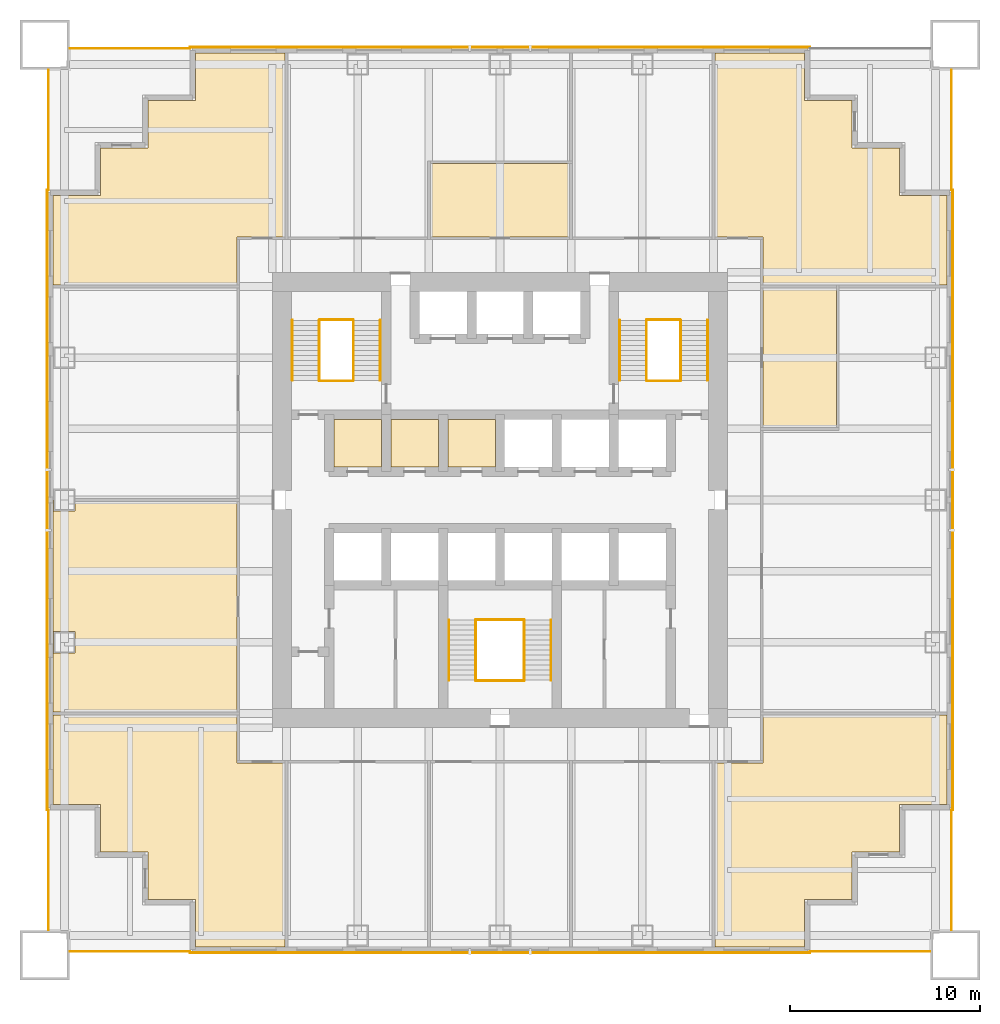
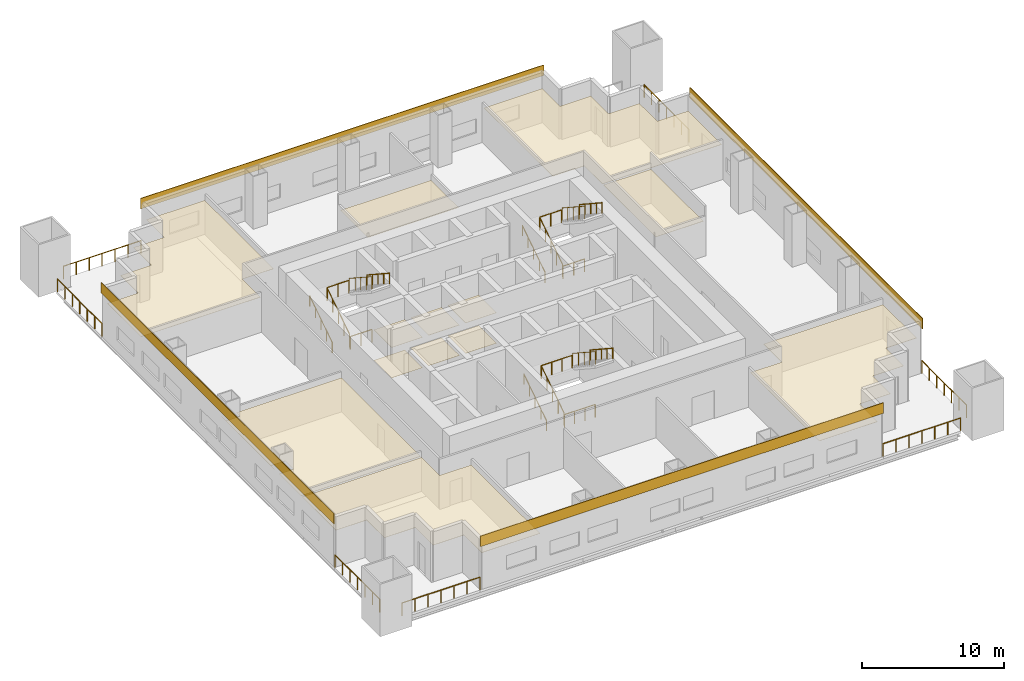
# One storey, part 6 of 7: 25 railings, 17 coverings.
"""IFC4 building model written with IfcOpenShell, lengths in metres."""

from ifc_helpers import new_model, si_unit, direction, frame, origin, origin_2d, place, context, subcontext, project, spatial, polyline, rectangle, circle, outline, extrude, material, layer, layer_set, type_object, element, save


model = new_model("IFC4")

# Units and contexts
model_context = context("Model", 3, precision=1e-05, world=origin(), true_north=direction((0.0, 1.0)))
body_context = subcontext(model_context, "Body", "Model", "MODEL_VIEW")
ifc_project = project(units=[si_unit("LENGTHUNIT", "METRE"), si_unit("AREAUNIT", "SQUARE_METRE"), si_unit("VOLUMEUNIT", "CUBIC_METRE"), si_unit("PLANEANGLEUNIT", "RADIAN"), si_unit("MASSUNIT", "GRAM", prefix="KILO")], contexts=[model_context])

# Site, building, storey
site_placement = place(None, origin())
site = spatial("IfcSite", under=ifc_project, at=site_placement, CompositionType="ELEMENT")
building_placement = place(site_placement, origin())
building = spatial("IfcBuilding", under=site, at=building_placement, Name="Tarangal Relay Tower", CompositionType="ELEMENT")
storey_placement = place(building_placement, frame((0.0, 0.0, 122.39990234375)))
storey = spatial("IfcBuildingStorey", under=building, at=storey_placement, Name="L24", CompositionType="ELEMENT", Elevation=122.39990234375)

# Coverings
ifc_material_1 = material(Name="Anti-static vinyl flooring", Category="plastic")
ifc_layer_1 = layer(ifc_material_1, 0.010009765625)
ifc_layer_set_1 = layer_set([ifc_layer_1], Name="Anti-static vinyl floor")
covering_type_1 = type_object("IfcCoveringType", Name="Anti-static vinyl floor", PredefinedType="FLOORING", material=ifc_layer_set_1)
covering_1_placement = place(storey_placement, origin())
element("IfcCovering", 1, at=covering_1_placement, inside=storey, type_object=covering_type_1, Name="Floor finish FL1 L24-D1", PredefinedType="FLOORING", context=body_context, shape_type="SweptSolid", body=[
    extrude(outline(polyline([(-8.75, 1.75), (-6.25, 1.75), (-6.25, 4.25), (-8.75, 4.25), (-8.75, 1.75)])), origin(), (0.0, 0.0, 1.0), 0.010009765625),
])
covering_2_placement = place(storey_placement, origin())
element("IfcCovering", 2, at=covering_2_placement, inside=storey, type_object=covering_type_1, Name="Floor finish FL1 L24-D2", PredefinedType="FLOORING", context=body_context, shape_type="SweptSolid", body=[
    extrude(outline(polyline([(-5.75, 1.75), (-3.25, 1.75), (-3.25, 4.25), (-5.75, 4.25), (-5.75, 1.75)])), origin(), (0.0, 0.0, 1.0), 0.010009765625),
])
covering_3_placement = place(storey_placement, origin())
element("IfcCovering", 3, at=covering_3_placement, inside=storey, type_object=covering_type_1, Name="Floor finish FL1 L24-D3", PredefinedType="FLOORING", context=body_context, shape_type="SweptSolid", body=[
    extrude(outline(polyline([(-2.75, 1.75), (-0.25, 1.75), (-0.25, 4.25), (-2.75, 4.25), (-2.75, 1.75)])), origin(), (0.0, 0.0, 1.0), 0.010009765625),
])
ifc_material_2 = material(Name="Black anodised aluminium cladding", Category="aluminium")
ifc_layer_2 = layer(ifc_material_2, 0.050048828125)
ifc_layer_set_2 = layer_set([ifc_layer_2], Name="Black metal spandrel band")
covering_type_2 = type_object("IfcCoveringType", Name="Black metal spandrel band", PredefinedType="CLADDING", material=ifc_layer_set_2)
for number, where, z_axis, x_axis, name in (
    (4, (0.0, 23.875, 3.750244140625), (0.0, 0.0, 1.0), (1.0, 0.0, 0.0), "Spandrel band SB1 N L24"),
    (5, (23.875, 0.0, 3.750244140625), (0.0, 0.0, 1.0), (0.0, -1.0, 0.0), "Spandrel band SB1 E L24"),
    (6, (0.0, -23.875, 3.750244140625), (0.0, 0.0, 1.0), (-1.0, 0.0, 0.0), "Spandrel band SB1 S L24"),
    (7, (-23.875, 0.0, 3.750244140625), (0.0, 0.0, 1.0), (0.0, 1.0, 0.0), "Spandrel band SB1 W L24"),
):
    element("IfcCovering", number, at=place(storey_placement, frame(where, z_axis=z_axis, x_axis=x_axis)), inside=storey, type_object=covering_type_2, Name=name, PredefinedType="CLADDING", context=body_context, shape_type="SweptSolid", body=[
        extrude(rectangle(XDim=32.699951171875, YDim=0.050048828125, at=origin_2d()), origin(), (0.0, 0.0, 1.0), 0.89990234375),
    ])

# Railings
ifc_material_3 = material(Name="Steel guard, black finish", Category="steel")
railing_type_1 = type_object("IfcRailingType", Name="Stair guard 1100", PredefinedType="GUARDRAIL", material=ifc_material_3)
railing_1_placement = place(storey_placement, frame((-9.530029296875, 6.300048828125, 0.173095703125)))
element("IfcRailing", 8, at=railing_1_placement, inside=storey, type_object=railing_type_1, Name="Stair ST-A guard GR1 L24 flight 1", PredefinedType="GUARDRAIL", context=body_context, shape_type="SweptSolid", body=[
    extrude(circle(Radius=0.02392578125, at=origin_2d()), frame((0.0, 0.0, 1.076171875), z_axis=(0.0, 0.83629911093, 0.548273469226), x_axis=(-1.0, 0.0, 0.0)), (0.0, 0.0, 1.0), 3.7880859375),
    extrude(circle(Radius=0.02099609375, at=origin_2d()), origin(), (0.0, 0.0, 1.0), 1.052001953125),
    extrude(circle(Radius=0.02099609375, at=origin_2d()), frame((0.0, 0.7919921875, 0.519287109375)), (0.0, 0.0, 1.0), 1.052001953125),
    extrude(circle(Radius=0.02099609375, at=origin_2d()), frame((0.0, 1.583984375, 1.03857421875)), (0.0, 0.0, 1.0), 1.052001953125),
    extrude(circle(Radius=0.02099609375, at=origin_2d()), frame((0.0, 2.3759765625, 1.5576171875)), (0.0, 0.0, 1.0), 1.052001953125),
    extrude(circle(Radius=0.02099609375, at=origin_2d()), frame((0.0, 3.16796875, 2.076904296875)), (0.0, 0.0, 1.0), 1.052001953125),
])
railing_2_placement = place(storey_placement, frame((-7.719970703125, 9.468017578125, 2.423095703125)))
element("IfcRailing", 9, at=railing_2_placement, inside=storey, type_object=railing_type_1, Name="Stair ST-A guard GR1 L24 flight 2", PredefinedType="GUARDRAIL", context=body_context, shape_type="SweptSolid", body=[
    extrude(circle(Radius=0.02392578125, at=origin_2d()), frame((0.0, 0.0, 1.076171875), z_axis=(0.0, -0.83629911093, 0.548273469226), x_axis=(1.0, 0.0, 0.0)), (0.0, 0.0, 1.0), 3.7880859375),
    extrude(circle(Radius=0.02099609375, at=origin_2d()), origin(), (0.0, 0.0, 1.0), 1.052001953125),
    extrude(circle(Radius=0.02099609375, at=origin_2d()), frame((0.0, -0.7919921875, 0.519287109375)), (0.0, 0.0, 1.0), 1.052001953125),
    extrude(circle(Radius=0.02099609375, at=origin_2d()), frame((0.0, -1.583984375, 1.03857421875)), (0.0, 0.0, 1.0), 1.052001953125),
    extrude(circle(Radius=0.02099609375, at=origin_2d()), frame((0.0, -2.3759765625, 1.5576171875)), (0.0, 0.0, 1.0), 1.052001953125),
    extrude(circle(Radius=0.02099609375, at=origin_2d()), frame((0.0, -3.16796875, 2.076904296875)), (0.0, 0.0, 1.0), 1.052001953125),
])
for number, where, name in (
    (10, (-9.5, 6.27001953125, 0.0), "Stair ST-A landing guard GR1 L24"),
    (11, (-9.5, 9.498046875, 2.25), "Stair ST-A landing guard GR1 L24"),
):
    element("IfcRailing", number, at=place(storey_placement, frame(where)), inside=storey, type_object=railing_type_1, Name=name, PredefinedType="GUARDRAIL", context=body_context, shape_type="SweptSolid", body=[
        extrude(circle(Radius=0.02392578125, at=origin_2d()), frame((0.0, 0.0, 1.076171875), z_axis=(1.0, 0.0, 0.0), x_axis=(0.0, 1.0, 0.0)), (0.0, 0.0, 1.0), 1.75),
        extrude(circle(Radius=0.02099609375, at=origin_2d()), origin(), (0.0, 0.0, 1.0), 1.052001953125),
        extrude(circle(Radius=0.02099609375, at=origin_2d()), frame((0.875, 0.0, 0.0)), (0.0, 0.0, 1.0), 1.052001953125),
        extrude(circle(Radius=0.02099609375, at=origin_2d()), frame((1.75, 0.0, 0.0)), (0.0, 0.0, 1.0), 1.052001953125),
    ])
railing_3_placement = place(storey_placement, frame((7.719970703125, 6.300048828125, 0.173095703125)))
element("IfcRailing", 12, at=railing_3_placement, inside=storey, type_object=railing_type_1, Name="Stair ST-B guard GR1 L24 flight 1", PredefinedType="GUARDRAIL", context=body_context, shape_type="SweptSolid", body=[
    extrude(circle(Radius=0.02392578125, at=origin_2d()), frame((0.0, 0.0, 1.076171875), z_axis=(0.0, 0.83629911093, 0.548273469226), x_axis=(-1.0, 0.0, 0.0)), (0.0, 0.0, 1.0), 3.7880859375),
    extrude(circle(Radius=0.02099609375, at=origin_2d()), origin(), (0.0, 0.0, 1.0), 1.052001953125),
    extrude(circle(Radius=0.02099609375, at=origin_2d()), frame((0.0, 0.7919921875, 0.519287109375)), (0.0, 0.0, 1.0), 1.052001953125),
    extrude(circle(Radius=0.02099609375, at=origin_2d()), frame((0.0, 1.583984375, 1.03857421875)), (0.0, 0.0, 1.0), 1.052001953125),
    extrude(circle(Radius=0.02099609375, at=origin_2d()), frame((0.0, 2.3759765625, 1.5576171875)), (0.0, 0.0, 1.0), 1.052001953125),
    extrude(circle(Radius=0.02099609375, at=origin_2d()), frame((0.0, 3.16796875, 2.076904296875)), (0.0, 0.0, 1.0), 1.052001953125),
])
railing_4_placement = place(storey_placement, frame((9.530029296875, 9.468017578125, 2.423095703125)))
element("IfcRailing", 13, at=railing_4_placement, inside=storey, type_object=railing_type_1, Name="Stair ST-B guard GR1 L24 flight 2", PredefinedType="GUARDRAIL", context=body_context, shape_type="SweptSolid", body=[
    extrude(circle(Radius=0.02392578125, at=origin_2d()), frame((0.0, 0.0, 1.076171875), z_axis=(0.0, -0.83629911093, 0.548273469226), x_axis=(1.0, 0.0, 0.0)), (0.0, 0.0, 1.0), 3.7880859375),
    extrude(circle(Radius=0.02099609375, at=origin_2d()), origin(), (0.0, 0.0, 1.0), 1.052001953125),
    extrude(circle(Radius=0.02099609375, at=origin_2d()), frame((0.0, -0.7919921875, 0.519287109375)), (0.0, 0.0, 1.0), 1.052001953125),
    extrude(circle(Radius=0.02099609375, at=origin_2d()), frame((0.0, -1.583984375, 1.03857421875)), (0.0, 0.0, 1.0), 1.052001953125),
    extrude(circle(Radius=0.02099609375, at=origin_2d()), frame((0.0, -2.3759765625, 1.5576171875)), (0.0, 0.0, 1.0), 1.052001953125),
    extrude(circle(Radius=0.02099609375, at=origin_2d()), frame((0.0, -3.16796875, 2.076904296875)), (0.0, 0.0, 1.0), 1.052001953125),
])
for number, where, name in (
    (14, (7.75, 6.27001953125, 0.0), "Stair ST-B landing guard GR1 L24"),
    (15, (7.75, 9.498046875, 2.25), "Stair ST-B landing guard GR1 L24"),
):
    element("IfcRailing", number, at=place(storey_placement, frame(where)), inside=storey, type_object=railing_type_1, Name=name, PredefinedType="GUARDRAIL", context=body_context, shape_type="SweptSolid", body=[
        extrude(circle(Radius=0.02392578125, at=origin_2d()), frame((0.0, 0.0, 1.076171875), z_axis=(1.0, 0.0, 0.0), x_axis=(0.0, 1.0, 0.0)), (0.0, 0.0, 1.0), 1.75),
        extrude(circle(Radius=0.02099609375, at=origin_2d()), origin(), (0.0, 0.0, 1.0), 1.052001953125),
        extrude(circle(Radius=0.02099609375, at=origin_2d()), frame((0.875, 0.0, 0.0)), (0.0, 0.0, 1.0), 1.052001953125),
        extrude(circle(Radius=0.02099609375, at=origin_2d()), frame((1.75, 0.0, 0.0)), (0.0, 0.0, 1.0), 1.052001953125),
    ])
railing_5_placement = place(storey_placement, frame((-1.280029296875, -9.5, 0.173095703125)))
element("IfcRailing", 16, at=railing_5_placement, inside=storey, type_object=railing_type_1, Name="Stair ST-C guard GR1 L24 flight 1", PredefinedType="GUARDRAIL", context=body_context, shape_type="SweptSolid", body=[
    extrude(circle(Radius=0.02392578125, at=origin_2d()), frame((0.0, 0.0, 1.076171875), z_axis=(0.0, 0.83629911093, 0.548273469226), x_axis=(-1.0, 0.0, 0.0)), (0.0, 0.0, 1.0), 3.7880859375),
    extrude(circle(Radius=0.02099609375, at=origin_2d()), origin(), (0.0, 0.0, 1.0), 1.052001953125),
    extrude(circle(Radius=0.02099609375, at=origin_2d()), frame((0.0, 0.7919921875, 0.519287109375)), (0.0, 0.0, 1.0), 1.052001953125),
    extrude(circle(Radius=0.02099609375, at=origin_2d()), frame((0.0, 1.583984375, 1.03857421875)), (0.0, 0.0, 1.0), 1.052001953125),
    extrude(circle(Radius=0.02099609375, at=origin_2d()), frame((0.0, 2.3759765625, 1.5576171875)), (0.0, 0.0, 1.0), 1.052001953125),
    extrude(circle(Radius=0.02099609375, at=origin_2d()), frame((0.0, 3.16796875, 2.076904296875)), (0.0, 0.0, 1.0), 1.052001953125),
])
railing_6_placement = place(storey_placement, frame((1.280029296875, -6.33203125, 2.423095703125)))
element("IfcRailing", 17, at=railing_6_placement, inside=storey, type_object=railing_type_1, Name="Stair ST-C guard GR1 L24 flight 2", PredefinedType="GUARDRAIL", context=body_context, shape_type="SweptSolid", body=[
    extrude(circle(Radius=0.02392578125, at=origin_2d()), frame((0.0, 0.0, 1.076171875), z_axis=(0.0, -0.83629911093, 0.548273469226), x_axis=(1.0, 0.0, 0.0)), (0.0, 0.0, 1.0), 3.7880859375),
    extrude(circle(Radius=0.02099609375, at=origin_2d()), origin(), (0.0, 0.0, 1.0), 1.052001953125),
    extrude(circle(Radius=0.02099609375, at=origin_2d()), frame((0.0, -0.7919921875, 0.519287109375)), (0.0, 0.0, 1.0), 1.052001953125),
    extrude(circle(Radius=0.02099609375, at=origin_2d()), frame((0.0, -1.583984375, 1.03857421875)), (0.0, 0.0, 1.0), 1.052001953125),
    extrude(circle(Radius=0.02099609375, at=origin_2d()), frame((0.0, -2.3759765625, 1.5576171875)), (0.0, 0.0, 1.0), 1.052001953125),
    extrude(circle(Radius=0.02099609375, at=origin_2d()), frame((0.0, -3.16796875, 2.076904296875)), (0.0, 0.0, 1.0), 1.052001953125),
])
for number, where, name in (
    (18, (-1.25, -9.530029296875, 0.0), "Stair ST-C landing guard GR1 L24"),
    (19, (-1.25, -6.302001953125, 2.25), "Stair ST-C landing guard GR1 L24"),
):
    element("IfcRailing", number, at=place(storey_placement, frame(where)), inside=storey, type_object=railing_type_1, Name=name, PredefinedType="GUARDRAIL", context=body_context, shape_type="SweptSolid", body=[
        extrude(circle(Radius=0.02392578125, at=origin_2d()), frame((0.0, 0.0, 1.076171875), z_axis=(1.0, 0.0, 0.0), x_axis=(0.0, 1.0, 0.0)), (0.0, 0.0, 1.0), 2.5),
        extrude(circle(Radius=0.02099609375, at=origin_2d()), origin(), (0.0, 0.0, 1.0), 1.052001953125),
        extrude(circle(Radius=0.02099609375, at=origin_2d()), frame((0.833251953125, 0.0, 0.0)), (0.0, 0.0, 1.0), 1.052001953125),
        extrude(circle(Radius=0.02099609375, at=origin_2d()), frame((1.666748046875, 0.0, 0.0)), (0.0, 0.0, 1.0), 1.052001953125),
        extrude(circle(Radius=0.02099609375, at=origin_2d()), frame((2.5, 0.0, 0.0)), (0.0, 0.0, 1.0), 1.052001953125),
    ])
ifc_material_4 = material(Name="Steel handrail, black finish", Category="steel")
railing_type_2 = type_object("IfcRailingType", Name="Stair handrail 900", PredefinedType="HANDRAIL", material=ifc_material_4)
railing_7_placement = place(storey_placement, frame((-10.93994140625, 6.300048828125, 0.173095703125)))
element("IfcRailing", 20, at=railing_7_placement, inside=storey, type_object=railing_type_2, Name="Stair ST-A handrail HR1 L24 flight 1", PredefinedType="HANDRAIL", context=body_context, shape_type="SweptSolid", body=[
    extrude(circle(Radius=0.02392578125, at=origin_2d()), frame((0.0, 0.0, 0.8759765625), z_axis=(0.0, 0.83629911093, 0.548273469226), x_axis=(-1.0, 0.0, 0.0)), (0.0, 0.0, 1.0), 3.7880859375),
    extrude(circle(Radius=0.02099609375, at=origin_2d()), origin(), (0.0, 0.0, 1.0), 0.851806640625),
    extrude(circle(Radius=0.02099609375, at=origin_2d()), frame((0.0, 0.7919921875, 0.519287109375)), (0.0, 0.0, 1.0), 0.851806640625),
    extrude(circle(Radius=0.02099609375, at=origin_2d()), frame((0.0, 1.583984375, 1.03857421875)), (0.0, 0.0, 1.0), 0.851806640625),
    extrude(circle(Radius=0.02099609375, at=origin_2d()), frame((0.0, 2.3759765625, 1.5576171875)), (0.0, 0.0, 1.0), 0.851806640625),
    extrude(circle(Radius=0.02099609375, at=origin_2d()), frame((0.0, 3.16796875, 2.076904296875)), (0.0, 0.0, 1.0), 0.851806640625),
])
railing_8_placement = place(storey_placement, frame((-6.31005859375, 9.468017578125, 2.423095703125)))
element("IfcRailing", 21, at=railing_8_placement, inside=storey, type_object=railing_type_2, Name="Stair ST-A handrail HR1 L24 flight 2", PredefinedType="HANDRAIL", context=body_context, shape_type="SweptSolid", body=[
    extrude(circle(Radius=0.02392578125, at=origin_2d()), frame((0.0, 0.0, 0.8759765625), z_axis=(0.0, -0.83629911093, 0.548273469226), x_axis=(1.0, 0.0, 0.0)), (0.0, 0.0, 1.0), 3.7880859375),
    extrude(circle(Radius=0.02099609375, at=origin_2d()), origin(), (0.0, 0.0, 1.0), 0.851806640625),
    extrude(circle(Radius=0.02099609375, at=origin_2d()), frame((0.0, -0.7919921875, 0.519287109375)), (0.0, 0.0, 1.0), 0.851806640625),
    extrude(circle(Radius=0.02099609375, at=origin_2d()), frame((0.0, -1.583984375, 1.03857421875)), (0.0, 0.0, 1.0), 0.851806640625),
    extrude(circle(Radius=0.02099609375, at=origin_2d()), frame((0.0, -2.3759765625, 1.5576171875)), (0.0, 0.0, 1.0), 0.851806640625),
    extrude(circle(Radius=0.02099609375, at=origin_2d()), frame((0.0, -3.16796875, 2.076904296875)), (0.0, 0.0, 1.0), 0.851806640625),
])
railing_9_placement = place(storey_placement, frame((6.31005859375, 6.300048828125, 0.173095703125)))
element("IfcRailing", 22, at=railing_9_placement, inside=storey, type_object=railing_type_2, Name="Stair ST-B handrail HR1 L24 flight 1", PredefinedType="HANDRAIL", context=body_context, shape_type="SweptSolid", body=[
    extrude(circle(Radius=0.02392578125, at=origin_2d()), frame((0.0, 0.0, 0.8759765625), z_axis=(0.0, 0.83629911093, 0.548273469226), x_axis=(-1.0, 0.0, 0.0)), (0.0, 0.0, 1.0), 3.7880859375),
    extrude(circle(Radius=0.02099609375, at=origin_2d()), origin(), (0.0, 0.0, 1.0), 0.851806640625),
    extrude(circle(Radius=0.02099609375, at=origin_2d()), frame((0.0, 0.7919921875, 0.519287109375)), (0.0, 0.0, 1.0), 0.851806640625),
    extrude(circle(Radius=0.02099609375, at=origin_2d()), frame((0.0, 1.583984375, 1.03857421875)), (0.0, 0.0, 1.0), 0.851806640625),
    extrude(circle(Radius=0.02099609375, at=origin_2d()), frame((0.0, 2.3759765625, 1.5576171875)), (0.0, 0.0, 1.0), 0.851806640625),
    extrude(circle(Radius=0.02099609375, at=origin_2d()), frame((0.0, 3.16796875, 2.076904296875)), (0.0, 0.0, 1.0), 0.851806640625),
])
railing_10_placement = place(storey_placement, frame((10.93994140625, 9.468017578125, 2.423095703125)))
element("IfcRailing", 23, at=railing_10_placement, inside=storey, type_object=railing_type_2, Name="Stair ST-B handrail HR1 L24 flight 2", PredefinedType="HANDRAIL", context=body_context, shape_type="SweptSolid", body=[
    extrude(circle(Radius=0.02392578125, at=origin_2d()), frame((0.0, 0.0, 0.8759765625), z_axis=(0.0, -0.83629911093, 0.548273469226), x_axis=(1.0, 0.0, 0.0)), (0.0, 0.0, 1.0), 3.7880859375),
    extrude(circle(Radius=0.02099609375, at=origin_2d()), origin(), (0.0, 0.0, 1.0), 0.851806640625),
    extrude(circle(Radius=0.02099609375, at=origin_2d()), frame((0.0, -0.7919921875, 0.519287109375)), (0.0, 0.0, 1.0), 0.851806640625),
    extrude(circle(Radius=0.02099609375, at=origin_2d()), frame((0.0, -1.583984375, 1.03857421875)), (0.0, 0.0, 1.0), 0.851806640625),
    extrude(circle(Radius=0.02099609375, at=origin_2d()), frame((0.0, -2.3759765625, 1.5576171875)), (0.0, 0.0, 1.0), 0.851806640625),
    extrude(circle(Radius=0.02099609375, at=origin_2d()), frame((0.0, -3.16796875, 2.076904296875)), (0.0, 0.0, 1.0), 0.851806640625),
])
railing_11_placement = place(storey_placement, frame((-2.68994140625, -9.5, 0.173095703125)))
element("IfcRailing", 24, at=railing_11_placement, inside=storey, type_object=railing_type_2, Name="Stair ST-C handrail HR1 L24 flight 1", PredefinedType="HANDRAIL", context=body_context, shape_type="SweptSolid", body=[
    extrude(circle(Radius=0.02392578125, at=origin_2d()), frame((0.0, 0.0, 0.8759765625), z_axis=(0.0, 0.83629911093, 0.548273469226), x_axis=(-1.0, 0.0, 0.0)), (0.0, 0.0, 1.0), 3.7880859375),
    extrude(circle(Radius=0.02099609375, at=origin_2d()), origin(), (0.0, 0.0, 1.0), 0.851806640625),
    extrude(circle(Radius=0.02099609375, at=origin_2d()), frame((0.0, 0.7919921875, 0.519287109375)), (0.0, 0.0, 1.0), 0.851806640625),
    extrude(circle(Radius=0.02099609375, at=origin_2d()), frame((0.0, 1.583984375, 1.03857421875)), (0.0, 0.0, 1.0), 0.851806640625),
    extrude(circle(Radius=0.02099609375, at=origin_2d()), frame((0.0, 2.3759765625, 1.5576171875)), (0.0, 0.0, 1.0), 0.851806640625),
    extrude(circle(Radius=0.02099609375, at=origin_2d()), frame((0.0, 3.16796875, 2.076904296875)), (0.0, 0.0, 1.0), 0.851806640625),
])
railing_12_placement = place(storey_placement, frame((2.68994140625, -6.33203125, 2.423095703125)))
element("IfcRailing", 25, at=railing_12_placement, inside=storey, type_object=railing_type_2, Name="Stair ST-C handrail HR1 L24 flight 2", PredefinedType="HANDRAIL", context=body_context, shape_type="SweptSolid", body=[
    extrude(circle(Radius=0.02392578125, at=origin_2d()), frame((0.0, 0.0, 0.8759765625), z_axis=(0.0, -0.83629911093, 0.548273469226), x_axis=(1.0, 0.0, 0.0)), (0.0, 0.0, 1.0), 3.7880859375),
    extrude(circle(Radius=0.02099609375, at=origin_2d()), origin(), (0.0, 0.0, 1.0), 0.851806640625),
    extrude(circle(Radius=0.02099609375, at=origin_2d()), frame((0.0, -0.7919921875, 0.519287109375)), (0.0, 0.0, 1.0), 0.851806640625),
    extrude(circle(Radius=0.02099609375, at=origin_2d()), frame((0.0, -1.583984375, 1.03857421875)), (0.0, 0.0, 1.0), 0.851806640625),
    extrude(circle(Radius=0.02099609375, at=origin_2d()), frame((0.0, -2.3759765625, 1.5576171875)), (0.0, 0.0, 1.0), 0.851806640625),
    extrude(circle(Radius=0.02099609375, at=origin_2d()), frame((0.0, -3.16796875, 2.076904296875)), (0.0, 0.0, 1.0), 0.851806640625),
])

# Coverings
ifc_material_5 = material(Name="Mineral fibre ceiling tiles", Category="gypsum")
ifc_layer_3 = layer(ifc_material_5, 0.02001953125)
ifc_layer_set_3 = layer_set([ifc_layer_3], Name="Suspended ceiling")
covering_type_3 = type_object("IfcCoveringType", Name="Suspended ceiling", PredefinedType="CEILING", material=ifc_layer_set_3)
covering_4_placement = place(storey_placement, frame((0.0, 0.0, 2.60009765625)))
element("IfcCovering", 26, at=covering_4_placement, inside=storey, type_object=covering_type_3, Name="Suspended ceiling CL1 L24-D1", PredefinedType="CEILING", context=body_context, shape_type="SweptSolid", body=[
    extrude(outline(polyline([(-8.75, 1.75), (-6.25, 1.75), (-6.25, 4.25), (-8.75, 4.25), (-8.75, 1.75)])), origin(), (0.0, 0.0, 1.0), 0.02001953125),
])
covering_5_placement = place(storey_placement, frame((0.0, 0.0, 2.60009765625)))
element("IfcCovering", 27, at=covering_5_placement, inside=storey, type_object=covering_type_3, Name="Suspended ceiling CL1 L24-D2", PredefinedType="CEILING", context=body_context, shape_type="SweptSolid", body=[
    extrude(outline(polyline([(-5.75, 1.75), (-3.25, 1.75), (-3.25, 4.25), (-5.75, 4.25), (-5.75, 1.75)])), origin(), (0.0, 0.0, 1.0), 0.02001953125),
])
covering_6_placement = place(storey_placement, frame((0.0, 0.0, 2.60009765625)))
element("IfcCovering", 28, at=covering_6_placement, inside=storey, type_object=covering_type_3, Name="Suspended ceiling CL1 L24-D3", PredefinedType="CEILING", context=body_context, shape_type="SweptSolid", body=[
    extrude(outline(polyline([(-2.75, 1.75), (-0.25, 1.75), (-0.25, 4.25), (-2.75, 4.25), (-2.75, 1.75)])), origin(), (0.0, 0.0, 1.0), 0.02001953125),
])
covering_7_placement = place(storey_placement, frame((0.0, 0.0, 2.900146484375)))
element("IfcCovering", 29, at=covering_7_placement, inside=storey, type_object=covering_type_3, Name="Suspended ceiling CL1 L24-03", PredefinedType="CEILING", context=body_context, shape_type="SweptSolid", body=[
    extrude(outline(polyline([(-3.675048828125, 17.72509765625), (-3.675048828125, 13.875), (3.675048828125, 13.875), (3.675048828125, 17.72509765625), (-3.675048828125, 17.72509765625)])), origin(), (0.0, 0.0, 1.0), 0.02001953125),
])
covering_8_placement = place(storey_placement, frame((0.0, 0.0, 2.900146484375)))
element("IfcCovering", 30, at=covering_8_placement, inside=storey, type_object=covering_type_3, Name="Suspended ceiling CL1 L24-05", PredefinedType="CEILING", context=body_context, shape_type="SweptSolid", body=[
    extrude(outline(polyline([(17.72509765625, 3.824951171875), (17.72509765625, 11.175048828125), (13.875, 11.175048828125), (13.875, 3.824951171875), (17.72509765625, 3.824951171875)])), origin(), (0.0, 0.0, 1.0), 0.02001953125),
])
covering_9_placement = place(storey_placement, frame((0.0, 0.0, 2.900146484375)))
element("IfcCovering", 31, at=covering_9_placement, inside=storey, type_object=covering_type_3, Name="Suspended ceiling CL1 L24-10", PredefinedType="CEILING", context=body_context, shape_type="SweptSolid", body=[
    extrude(outline(polyline([(-23.550048828125, 0.0), (-23.550048828125, -11.175048828125), (-13.875, -11.175048828125), (-13.875, -0.074951171875), (-22.389892578125, -0.074951171875), (-22.389892578125, -0.574951171875), (-23.5400390625, -0.574951171875), (-23.5400390625, 0.0), (-23.550048828125, 0.0)]), holes=[polyline([(-22.389892578125, -8.074951171875), (-22.389892578125, -6.925048828125), (-23.5400390625, -6.925048828125), (-23.5400390625, -8.074951171875), (-22.389892578125, -8.074951171875)])]), origin(), (0.0, 0.0, 1.0), 0.02001953125),
])
covering_10_placement = place(storey_placement, frame((0.0, 0.0, 2.900146484375)))
element("IfcCovering", 32, at=covering_10_placement, inside=storey, type_object=covering_type_3, Name="Suspended ceiling CL1 L24-12", PredefinedType="CEILING", context=body_context, shape_type="SweptSolid", body=[
    extrude(outline(polyline([(16.050048828125, 23.550048828125), (11.324951171875, 23.550048828125), (11.324951171875, 13.875), (13.875, 13.875), (13.875, 11.324951171875), (23.550048828125, 11.324951171875), (23.550048828125, 16.050048828125), (21.050048828125, 16.050048828125), (21.050048828125, 18.550048828125), (18.550048828125, 18.550048828125), (18.550048828125, 21.050048828125), (16.050048828125, 21.050048828125), (16.050048828125, 23.550048828125)])), origin(), (0.0, 0.0, 1.0), 0.02001953125),
])
covering_11_placement = place(storey_placement, frame((0.0, 0.0, 2.900146484375)))
element("IfcCovering", 33, at=covering_11_placement, inside=storey, type_object=covering_type_3, Name="Suspended ceiling CL1 L24-13", PredefinedType="CEILING", context=body_context, shape_type="SweptSolid", body=[
    extrude(outline(polyline([(23.550048828125, -16.050048828125), (23.550048828125, -11.324951171875), (13.875, -11.324951171875), (13.875, -13.875), (11.324951171875, -13.875), (11.324951171875, -23.550048828125), (16.050048828125, -23.550048828125), (16.050048828125, -21.050048828125), (18.550048828125, -21.050048828125), (18.550048828125, -18.550048828125), (21.050048828125, -18.550048828125), (21.050048828125, -16.050048828125), (23.550048828125, -16.050048828125)])), origin(), (0.0, 0.0, 1.0), 0.02001953125),
])
covering_12_placement = place(storey_placement, frame((0.0, 0.0, 2.900146484375)))
element("IfcCovering", 34, at=covering_12_placement, inside=storey, type_object=covering_type_3, Name="Suspended ceiling CL1 L24-14", PredefinedType="CEILING", context=body_context, shape_type="SweptSolid", body=[
    extrude(outline(polyline([(-16.050048828125, -21.050048828125), (-16.050048828125, -23.550048828125), (-11.324951171875, -23.550048828125), (-11.324951171875, -13.875), (-13.875, -13.875), (-13.875, -11.324951171875), (-23.550048828125, -11.324951171875), (-23.550048828125, -16.050048828125), (-21.050048828125, -16.050048828125), (-21.050048828125, -18.550048828125), (-18.550048828125, -18.550048828125), (-18.550048828125, -21.050048828125), (-16.050048828125, -21.050048828125)])), origin(), (0.0, 0.0, 1.0), 0.02001953125),
])
covering_13_placement = place(storey_placement, frame((0.0, 0.0, 2.900146484375)))
element("IfcCovering", 35, at=covering_13_placement, inside=storey, type_object=covering_type_3, Name="Suspended ceiling CL1 L24-15", PredefinedType="CEILING", context=body_context, shape_type="SweptSolid", body=[
    extrude(outline(polyline([(-21.050048828125, 16.050048828125), (-23.550048828125, 16.050048828125), (-23.550048828125, 11.324951171875), (-13.875, 11.324951171875), (-13.875, 13.875), (-11.324951171875, 13.875), (-11.324951171875, 23.550048828125), (-16.050048828125, 23.550048828125), (-16.050048828125, 21.050048828125), (-18.550048828125, 21.050048828125), (-18.550048828125, 18.550048828125), (-21.050048828125, 18.550048828125), (-21.050048828125, 16.050048828125)])), origin(), (0.0, 0.0, 1.0), 0.02001953125),
])

# Railings
ifc_material_6 = material(Name="Black steel guard with glass infill", Category="steel")
railing_type_3 = type_object("IfcRailingType", Name="Terrace guard 1100", PredefinedType="GUARDRAIL", material=ifc_material_6)
for number, where, name in (
    (36, (23.800048828125, 22.64990234375, 0.0), "Terrace guard GR2 NE L24"),
    (37, (23.800048828125, -16.35009765625, 0.0), "Terrace guard GR2 SE L24"),
):
    element("IfcRailing", number, at=place(storey_placement, frame(where)), inside=storey, type_object=railing_type_3, Name=name, PredefinedType="GUARDRAIL", context=body_context, shape_type="SweptSolid", body=[
        extrude(circle(Radius=0.02392578125, at=origin_2d()), frame((0.0, 0.0, 1.076171875), z_axis=(0.0, -1.0, 0.0), x_axis=(1.0, 0.0, 0.0)), (0.0, 0.0, 1.0), 6.2998046875),
        extrude(circle(Radius=0.02099609375, at=origin_2d()), origin(), (0.0, 0.0, 1.0), 1.052001953125),
        extrude(circle(Radius=0.02099609375, at=origin_2d()), frame((0.0, -1.050048828125, 0.0)), (0.0, 0.0, 1.0), 1.052001953125),
        extrude(circle(Radius=0.02099609375, at=origin_2d()), frame((0.0, -2.099853515625, 0.0)), (0.0, 0.0, 1.0), 1.052001953125),
        extrude(circle(Radius=0.02099609375, at=origin_2d()), frame((0.0, -3.14990234375, 0.0)), (0.0, 0.0, 1.0), 1.052001953125),
        extrude(circle(Radius=0.02099609375, at=origin_2d()), frame((0.0, -4.199951171875, 0.0)), (0.0, 0.0, 1.0), 1.052001953125),
        extrude(circle(Radius=0.02099609375, at=origin_2d()), frame((0.0, -5.249755859375, 0.0)), (0.0, 0.0, 1.0), 1.052001953125),
        extrude(circle(Radius=0.02099609375, at=origin_2d()), frame((0.0, -6.2998046875, 0.0)), (0.0, 0.0, 1.0), 1.052001953125),
    ])
for number, where, name in (
    (38, (22.64990234375, -23.800048828125, 0.0), "Terrace guard GR2 SE L24"),
    (39, (-16.35009765625, -23.800048828125, 0.0), "Terrace guard GR2 SW L24"),
):
    element("IfcRailing", number, at=place(storey_placement, frame(where)), inside=storey, type_object=railing_type_3, Name=name, PredefinedType="GUARDRAIL", context=body_context, shape_type="SweptSolid", body=[
        extrude(circle(Radius=0.02392578125, at=origin_2d()), frame((0.0, 0.0, 1.076171875), z_axis=(-1.0, 0.0, 0.0), x_axis=(0.0, -1.0, 0.0)), (0.0, 0.0, 1.0), 6.2998046875),
        extrude(circle(Radius=0.02099609375, at=origin_2d()), origin(), (0.0, 0.0, 1.0), 1.052001953125),
        extrude(circle(Radius=0.02099609375, at=origin_2d()), frame((-1.050048828125, 0.0, 0.0)), (0.0, 0.0, 1.0), 1.052001953125),
        extrude(circle(Radius=0.02099609375, at=origin_2d()), frame((-2.099853515625, 0.0, 0.0)), (0.0, 0.0, 1.0), 1.052001953125),
        extrude(circle(Radius=0.02099609375, at=origin_2d()), frame((-3.14990234375, 0.0, 0.0)), (0.0, 0.0, 1.0), 1.052001953125),
        extrude(circle(Radius=0.02099609375, at=origin_2d()), frame((-4.199951171875, 0.0, 0.0)), (0.0, 0.0, 1.0), 1.052001953125),
        extrude(circle(Radius=0.02099609375, at=origin_2d()), frame((-5.249755859375, 0.0, 0.0)), (0.0, 0.0, 1.0), 1.052001953125),
        extrude(circle(Radius=0.02099609375, at=origin_2d()), frame((-6.2998046875, 0.0, 0.0)), (0.0, 0.0, 1.0), 1.052001953125),
    ])
for number, where, name in (
    (40, (-23.800048828125, -22.64990234375, 0.0), "Terrace guard GR2 SW L24"),
    (41, (-23.800048828125, 16.35009765625, 0.0), "Terrace guard GR2 NW L24"),
):
    element("IfcRailing", number, at=place(storey_placement, frame(where)), inside=storey, type_object=railing_type_3, Name=name, PredefinedType="GUARDRAIL", context=body_context, shape_type="SweptSolid", body=[
        extrude(circle(Radius=0.02392578125, at=origin_2d()), frame((0.0, 0.0, 1.076171875), z_axis=(0.0, 1.0, 0.0), x_axis=(-1.0, 0.0, 0.0)), (0.0, 0.0, 1.0), 6.2998046875),
        extrude(circle(Radius=0.02099609375, at=origin_2d()), origin(), (0.0, 0.0, 1.0), 1.052001953125),
        extrude(circle(Radius=0.02099609375, at=origin_2d()), frame((0.0, 1.050048828125, 0.0)), (0.0, 0.0, 1.0), 1.052001953125),
        extrude(circle(Radius=0.02099609375, at=origin_2d()), frame((0.0, 2.099853515625, 0.0)), (0.0, 0.0, 1.0), 1.052001953125),
        extrude(circle(Radius=0.02099609375, at=origin_2d()), frame((0.0, 3.14990234375, 0.0)), (0.0, 0.0, 1.0), 1.052001953125),
        extrude(circle(Radius=0.02099609375, at=origin_2d()), frame((0.0, 4.199951171875, 0.0)), (0.0, 0.0, 1.0), 1.052001953125),
        extrude(circle(Radius=0.02099609375, at=origin_2d()), frame((0.0, 5.249755859375, 0.0)), (0.0, 0.0, 1.0), 1.052001953125),
        extrude(circle(Radius=0.02099609375, at=origin_2d()), frame((0.0, 6.2998046875, 0.0)), (0.0, 0.0, 1.0), 1.052001953125),
    ])
railing_13_placement = place(storey_placement, frame((-22.64990234375, 23.800048828125, 0.0)))
element("IfcRailing", 42, at=railing_13_placement, inside=storey, type_object=railing_type_3, Name="Terrace guard GR2 NW L24", PredefinedType="GUARDRAIL", context=body_context, shape_type="SweptSolid", body=[
    extrude(circle(Radius=0.02392578125, at=origin_2d()), frame((0.0, 0.0, 1.076171875), z_axis=(1.0, 0.0, 0.0), x_axis=(0.0, 1.0, 0.0)), (0.0, 0.0, 1.0), 6.2998046875),
    extrude(circle(Radius=0.02099609375, at=origin_2d()), origin(), (0.0, 0.0, 1.0), 1.052001953125),
    extrude(circle(Radius=0.02099609375, at=origin_2d()), frame((1.050048828125, 0.0, 0.0)), (0.0, 0.0, 1.0), 1.052001953125),
    extrude(circle(Radius=0.02099609375, at=origin_2d()), frame((2.099853515625, 0.0, 0.0)), (0.0, 0.0, 1.0), 1.052001953125),
    extrude(circle(Radius=0.02099609375, at=origin_2d()), frame((3.14990234375, 0.0, 0.0)), (0.0, 0.0, 1.0), 1.052001953125),
    extrude(circle(Radius=0.02099609375, at=origin_2d()), frame((4.199951171875, 0.0, 0.0)), (0.0, 0.0, 1.0), 1.052001953125),
    extrude(circle(Radius=0.02099609375, at=origin_2d()), frame((5.249755859375, 0.0, 0.0)), (0.0, 0.0, 1.0), 1.052001953125),
    extrude(circle(Radius=0.02099609375, at=origin_2d()), frame((6.2998046875, 0.0, 0.0)), (0.0, 0.0, 1.0), 1.052001953125),
])

save(model, "model.ifc")
